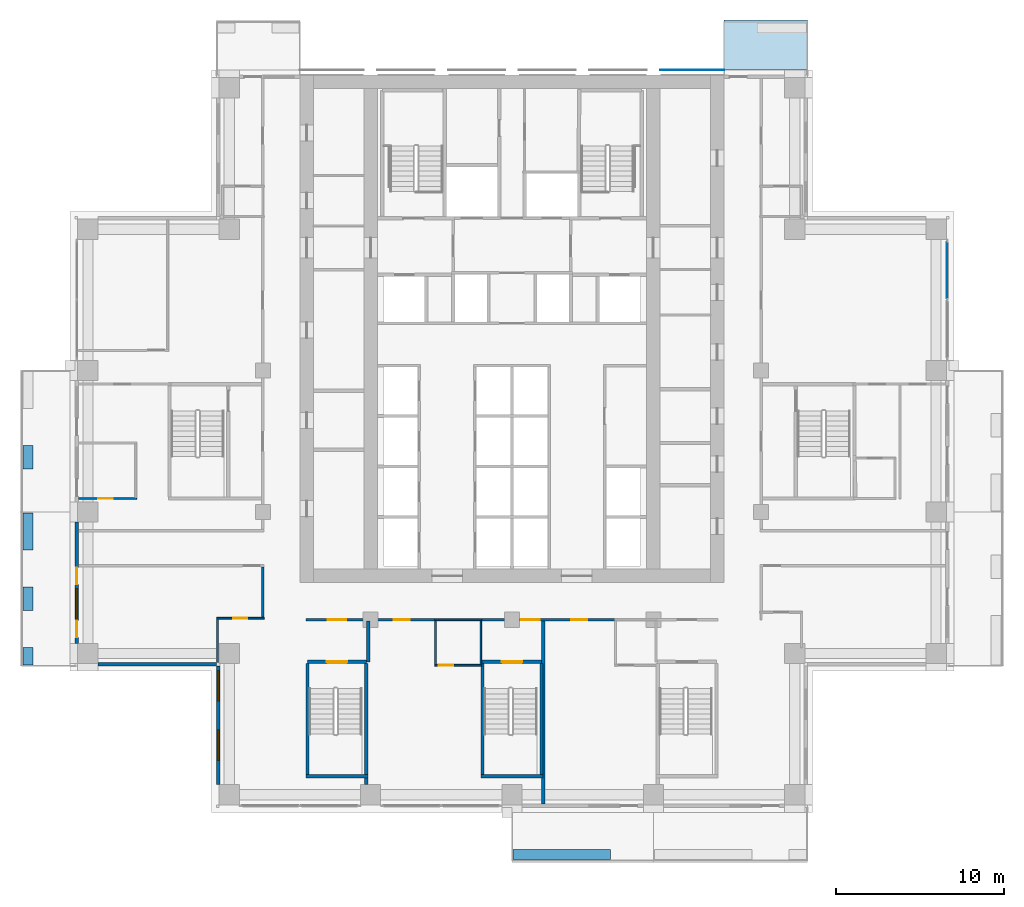
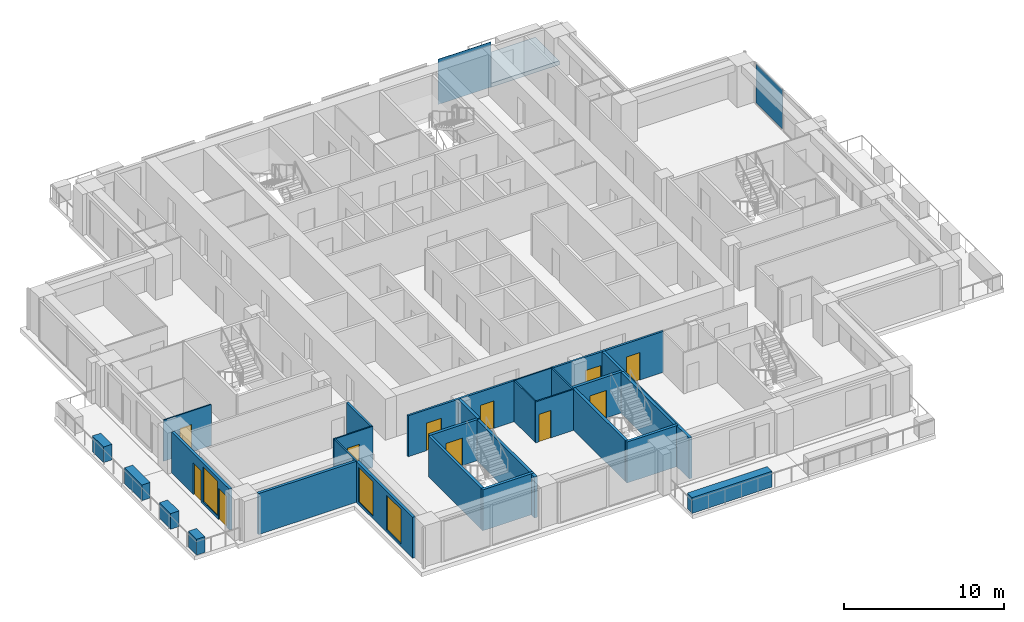
# One storey, part 8 of 18: 28 walls, 11 doors, 3 windows, 2 plates, 1 slab, 14 openings, 1 element without a shape of its own.
"""IFC4 building model written with IfcOpenShell, lengths in metres."""

from ifc_helpers import new_model, si_unit, direction, frame, frame_2d, origin, origin_2d, place, context, subcontext, project, spatial, polyline, rectangle, outline, extrude, material, layer, layer_set, type_object, element, fill, aggregate, save


model = new_model("IFC4")

# Units and contexts
model_context = context("Model", 3, precision=1e-05, world=origin(), true_north=direction((0.0, 1.0)))
body_context = subcontext(model_context, "Body", "Model", "MODEL_VIEW")
ifc_project = project(units=[si_unit("LENGTHUNIT", "METRE"), si_unit("AREAUNIT", "SQUARE_METRE"), si_unit("VOLUMEUNIT", "CUBIC_METRE"), si_unit("PLANEANGLEUNIT", "RADIAN"), si_unit("MASSUNIT", "GRAM", prefix="KILO")], contexts=[model_context])

# Site, building, storey
site_placement = place(None, origin())
site = spatial("IfcSite", under=ifc_project, at=site_placement, CompositionType="ELEMENT")
building_placement = place(site_placement, origin())
building = spatial("IfcBuilding", under=site, at=building_placement, Name="Vermilion Ogive Tower", CompositionType="ELEMENT")
storey_placement = place(building_placement, frame((0.0, 0.0, 108.0)))
storey = spatial("IfcBuildingStorey", under=building, at=storey_placement, Name="L27", CompositionType="ELEMENT", Elevation=108.0)

# Slab
ifc_material_1 = material(Name="Concrete B40", Category="concrete")
ifc_layer_1 = layer(ifc_material_1, 0.300048828125)
ifc_layer_set_1 = layer_set([ifc_layer_1], Name="Balcony slab")
slab_type = type_object("IfcSlabType", Name="Balcony slab", PredefinedType="FLOOR", material=ifc_layer_set_1)
slab_placement = place(storey_placement, frame((0.0, 0.0, -0.340087890625)))
element("IfcSlab", 1, at=slab_placement, inside=storey, type_object=slab_type, Name="Balcony slab N101", PredefinedType="FLOOR", context=body_context, shape_type="SweptSolid", body=[
    extrude(outline(polyline([(17.550048828125, 25.030029296875), (12.60009765625, 25.030029296875), (12.60009765625, 22.050048828125), (17.550048828125, 22.050048828125), (17.550048828125, 25.030029296875)])), origin(), (0.0, 0.0, 1.0), 0.300048828125),
])

# Curtain wall, plate
ifc_material_2 = material(Name="Low-iron laminated glazing in aluminium frame", Category="aluminium")
curtain_wall_type = type_object("IfcCurtainWallType", Name="Curtain wall CW7", PredefinedType="NOTDEFINED", material=ifc_material_2)
curtain_wall_placement = place(storey_placement, origin())
curtain_wall = element("IfcCurtainWall", 2, at=curtain_wall_placement, inside=storey, type_object=curtain_wall_type, Name="Glazed skin E3", PredefinedType="NOTDEFINED")
ifc_material_3 = material(Name="Low-iron laminated glazing in aluminium frame", Category="aluminium")
ifc_layer_2 = layer(ifc_material_3, 0.031982421875)
ifc_layer_set_2 = layer_set([ifc_layer_2], Name="CW7 glazing panel 32")
plate_type_1 = type_object("IfcPlateType", Name="CW7 glazing panel 32", PredefinedType="CURTAIN_PANEL", material=ifc_layer_set_2)
plate_1_placement = place(storey_placement, frame((25.85009765625, 10.155029296875, 0.06005859375), z_axis=(0.0, 0.0, 1.0), x_axis=(0.0, 1.0, 0.0)))
plate_1 = element("IfcPlate", 3, at=plate_1_placement, type_object=plate_type_1, Name="CW7-E3 panel 2.1", PredefinedType="CURTAIN_PANEL", context=body_context, shape_type="SweptSolid", body=[
    extrude(rectangle(XDim=3.330078125, YDim=0.031982421875, at=origin_2d()), origin(), (0.0, 0.0, 1.0), 3.010009765625),
])
aggregate(curtain_wall, [plate_1])

# Plate
ifc_material_4 = material(Name="Low-iron laminated glazing in aluminium frame", Category="aluminium")
ifc_layer_3 = layer(ifc_material_4, 0.031982421875)
ifc_layer_set_3 = layer_set([ifc_layer_3], Name="Glazed rainscreen sheet 32")
plate_type_2 = type_object("IfcPlateType", Name="Glazed rainscreen sheet 32", PredefinedType="SHEET", material=ifc_layer_set_3)
plate_2_placement = place(storey_placement, frame((10.7099609375, 22.06591796875, -0.31982421875), z_axis=(0.0, 0.0, 1.0), x_axis=(1.0, 0.0, 0.0)))
element("IfcPlate", 4, at=plate_2_placement, inside=storey, type_object=plate_type_2, Name="Glazed rainscreen sheet N6", PredefinedType="SHEET", context=body_context, shape_type="SweptSolid", body=[
    extrude(rectangle(XDim=3.820068359375, YDim=0.031982421875, at=origin_2d()), origin(), (0.0, 0.0, 1.0), 3.449951171875),
])

# Wall, opening, door
ifc_material_5 = material(Name="Gypsum board partition on steel studs", Category="steel")
ifc_layer_4 = layer(ifc_material_5, 0.10009765625)
ifc_layer_set_4 = layer_set([ifc_layer_4], Name="Partition 100 bath")
wall_type_1 = type_object("IfcWallType", Name="Partition 100 bath", PredefinedType="PARTITIONING", material=ifc_layer_set_4)
wall_1_placement = place(storey_placement, frame((-4.597900390625, -13.300048828125, 0.0), z_axis=(0.0, 0.0, 1.0), x_axis=(1.0, 0.0, 0.0)))
wall_1 = element("IfcWall", 5, at=wall_1_placement, inside=storey, type_object=wall_type_1, Name="L27-W-W002", PredefinedType="PARTITIONING", context=body_context, shape_type="SweptSolid", body=[
    extrude(rectangle(XDim=2.7958984375, YDim=0.10009765625, at=frame_2d((1.39794921875, 0.0))), origin(), (0.0, 0.0, 1.0), 3.1298828125),
])
opening_1_placement = place(wall_1_placement, frame((0.247802734375, 0.0, 0.0)))
opening_1 = element("IfcOpeningElement", 6, at=opening_1_placement, cuts=wall_1, Name="Opening D2G4010", PredefinedType="OPENING", context=body_context, shape_type="SweptSolid", body=[
    extrude(rectangle(XDim=0.85009765625, YDim=2.10009765625, at=frame_2d((0.425048828125, 1.050048828125))), frame((0.0, 0.06005859375, 0.0), z_axis=(0.0, -1.0, 0.0), x_axis=(1.0, 0.0, 0.0)), (0.0, 0.0, 1.0), 0.1201171875),
])
ifc_material_6 = material(Name="Timber door leaf", Category="wood")
door_type_1 = type_object("IfcDoorType", Name="Bath door 850 x 2100 FD30", OperationType="SINGLE_SWING_LEFT", PredefinedType="DOOR", material=ifc_material_6)
door_1_placement = place(opening_1_placement, origin())
door_1 = element("IfcDoor", 7, at=door_1_placement, inside=storey, type_object=door_type_1, Name="L27-D-D010", OperationType="SINGLE_SWING_LEFT", OverallHeight=2.10009765625, OverallWidth=0.85009765625, PredefinedType="DOOR", context=body_context, shape_type="SweptSolid", body=[
    extrude(rectangle(XDim=0.85009765625, YDim=2.10009765625, at=frame_2d((0.425048828125, 1.050048828125))), frame((0.0, 0.02490234375, 0.0), z_axis=(0.0, -1.0, 0.0), x_axis=(1.0, 0.0, 0.0)), (0.0, 0.0, 1.0), 0.050048828125),
])
fill(opening_1, door_1)

# Wall
wall_2_placement = place(storey_placement, frame((-4.60009765625, -10.60009765625, 0.0), z_axis=(0.0, 0.0, 1.0), x_axis=(1.0, 0.0, 0.0)))
element("IfcWall", 8, at=wall_2_placement, inside=storey, type_object=wall_type_1, Name="L27-W-W008", PredefinedType="PARTITIONING", context=body_context, shape_type="SweptSolid", body=[
    extrude(rectangle(XDim=2.800048828125, YDim=0.10009765625, at=frame_2d((1.39990234375, 0.0))), origin(), (0.0, 0.0, 1.0), 3.1298828125),
])

# Wall, opening, door
wall_3_placement = place(storey_placement, frame((-17.550048828125, -10.510009765625, 0.0), z_axis=(0.0, 0.0, 1.0), x_axis=(1.0, 0.0, 0.0)))
wall_3 = element("IfcWall", 9, at=wall_3_placement, inside=storey, type_object=wall_type_1, Name="L27-W-W012", PredefinedType="PARTITIONING", context=body_context, shape_type="SweptSolid", body=[
    extrude(rectangle(XDim=2.824951171875, YDim=0.10009765625, at=frame_2d((1.41259765625, 0.0))), origin(), (0.0, 0.0, 1.0), 3.1298828125),
])
opening_2_placement = place(wall_3_placement, frame((0.97509765625, 0.0, 0.0)))
opening_2 = element("IfcOpeningElement", 10, at=opening_2_placement, cuts=wall_3, Name="Opening D2G4002", PredefinedType="OPENING", context=body_context, shape_type="SweptSolid", body=[
    extrude(rectangle(XDim=0.85009765625, YDim=2.10009765625, at=frame_2d((0.425048828125, 1.050048828125))), frame((0.0, 0.06005859375, 0.0), z_axis=(0.0, -1.0, 0.0), x_axis=(1.0, 0.0, 0.0)), (0.0, 0.0, 1.0), 0.1201171875),
])
door_2_placement = place(opening_2_placement, origin())
door_2 = element("IfcDoor", 11, at=door_2_placement, inside=storey, type_object=door_type_1, Name="L27-D-D002", OperationType="SINGLE_SWING_RIGHT", OverallHeight=2.10009765625, OverallWidth=0.85009765625, PredefinedType="DOOR", context=body_context, shape_type="SweptSolid", body=[
    extrude(rectangle(XDim=0.85009765625, YDim=2.10009765625, at=frame_2d((0.425048828125, 1.050048828125))), frame((0.0, 0.02490234375, 0.0), z_axis=(0.0, -1.0, 0.0), x_axis=(1.0, 0.0, 0.0)), (0.0, 0.0, 1.0), 0.050048828125),
])
fill(opening_2, door_2)

wall_4_placement = place(storey_placement, frame((-25.75, -3.39990234375, 0.0), z_axis=(0.0, 0.0, 1.0), x_axis=(1.0, 0.0, 0.0)))
wall_4 = element("IfcWall", 12, at=wall_4_placement, inside=storey, type_object=wall_type_1, Name="L27-W-W018", PredefinedType="PARTITIONING", context=body_context, shape_type="SweptSolid", body=[
    extrude(rectangle(XDim=3.447998046875, YDim=0.10009765625, at=frame_2d((1.72412109375, 0.0))), origin(), (0.0, 0.0, 1.0), 3.1298828125),
])
opening_3_placement = place(wall_4_placement, frame((1.175048828125, 0.0, 0.0)))
opening_3 = element("IfcOpeningElement", 13, at=opening_3_placement, cuts=wall_4, Name="Opening D2G4006", PredefinedType="OPENING", context=body_context, shape_type="SweptSolid", body=[
    extrude(rectangle(XDim=0.85009765625, YDim=2.10009765625, at=frame_2d((0.425048828125, 1.050048828125))), frame((0.0, 0.06005859375, 0.0), z_axis=(0.0, -1.0, 0.0), x_axis=(1.0, 0.0, 0.0)), (0.0, 0.0, 1.0), 0.1201171875),
])
door_3_placement = place(opening_3_placement, origin())
door_3 = element("IfcDoor", 14, at=door_3_placement, inside=storey, type_object=door_type_1, Name="L27-D-D006", OperationType="SINGLE_SWING_LEFT", OverallHeight=2.10009765625, OverallWidth=0.85009765625, PredefinedType="DOOR", context=body_context, shape_type="SweptSolid", body=[
    extrude(rectangle(XDim=0.85009765625, YDim=2.10009765625, at=frame_2d((0.425048828125, 1.050048828125))), frame((0.0, 0.02490234375, 0.0), z_axis=(0.0, -1.0, 0.0), x_axis=(1.0, 0.0, 0.0)), (0.0, 0.0, 1.0), 0.050048828125),
])
fill(opening_3, door_3)

# Walls
wall_5_placement = place(storey_placement, frame((-17.5, -13.35009765625, 0.0), z_axis=(0.0, 0.0, 1.0), x_axis=(0.0, 1.0, 0.0)))
element("IfcWall", 15, at=wall_5_placement, inside=storey, type_object=wall_type_1, Name="L27-W-W038", PredefinedType="PARTITIONING", context=body_context, shape_type="SweptSolid", body=[
    extrude(rectangle(XDim=2.7900390625, YDim=0.10009765625, at=frame_2d((1.39501953125, 0.0))), origin(), (0.0, 0.0, 1.0), 3.1298828125),
])
for number, where, z_axis, x_axis, name in (
    (16, (-4.550048828125, -13.248046875, 0.0), (0.0, 0.0, 1.0), (0.0, 1.0, 0.0), "L27-W-W046"),
    (17, (-1.85009765625, -13.248046875, 0.0), (0.0, 0.0, 1.0), (0.0, 1.0, 0.0), "L27-W-W047"),
):
    element("IfcWall", number, at=place(storey_placement, frame(where, z_axis=z_axis, x_axis=x_axis)), inside=storey, type_object=wall_type_1, Name=name, PredefinedType="PARTITIONING", context=body_context, shape_type="SweptSolid", body=[
        extrude(rectangle(XDim=2.572998046875, YDim=0.10009765625, at=frame_2d((1.28662109375, 0.0))), origin(), (0.0, 0.0, 1.0), 3.1298828125),
    ])

# Wall, openings, doors
ifc_material_7 = material(Name="Gypsum board partition on steel studs", Category="steel")
ifc_layer_5 = layer(ifc_material_7, 0.14990234375)
ifc_layer_set_5 = layer_set([ifc_layer_5], Name="Partition 150 corridor")
wall_type_2 = type_object("IfcWallType", Name="Partition 150 corridor", PredefinedType="PARTITIONING", material=ifc_layer_set_5)
wall_6_placement = place(storey_placement, frame((-12.25, -10.60009765625, 0.0), z_axis=(0.0, 0.0, 1.0), x_axis=(1.0, 0.0, 0.0)))
wall_6 = element("IfcWall", 18, at=wall_6_placement, inside=storey, type_object=wall_type_2, Name="L27-W-W007", PredefinedType="PARTITIONING", context=body_context, shape_type="SweptSolid", body=[
    extrude(rectangle(XDim=7.75, YDim=0.14990234375, at=frame_2d((3.875, 0.0))), origin(), (0.0, 0.0, 1.0), 3.1298828125),
])
opening_4_placement = place(wall_6_placement, frame((5.22509765625, 0.0, 0.0)))
opening_4 = element("IfcOpeningElement", 19, at=opening_4_placement, cuts=wall_6, Name="Opening D2G4009", PredefinedType="OPENING", context=body_context, shape_type="SweptSolid", body=[
    extrude(rectangle(XDim=0.949951171875, YDim=2.10009765625, at=frame_2d((0.47509765625, 1.050048828125))), frame((0.0, 0.0849609375, 0.0), z_axis=(0.0, -1.0, 0.0), x_axis=(1.0, 0.0, 0.0)), (0.0, 0.0, 1.0), 0.169921875),
])
opening_5_placement = place(wall_6_placement, frame((1.300048828125, 0.0, 0.0)))
opening_5 = element("IfcOpeningElement", 20, at=opening_5_placement, cuts=wall_6, Name="Opening D2G4021", PredefinedType="OPENING", context=body_context, shape_type="SweptSolid", body=[
    extrude(rectangle(XDim=1.10009765625, YDim=2.10009765625, at=frame_2d((0.550048828125, 1.050048828125))), frame((0.0, 0.0849609375, 0.0), z_axis=(0.0, -1.0, 0.0), x_axis=(1.0, 0.0, 0.0)), (0.0, 0.0, 1.0), 0.169921875),
])
ifc_material_8 = material(Name="Timber door leaf", Category="wood")
door_type_2 = type_object("IfcDoorType", Name="Stair door 1100 x 2100 FD60S", OperationType="SINGLE_SWING_LEFT", PredefinedType="DOOR", material=ifc_material_8)
door_4_placement = place(opening_5_placement, origin())
door_4 = element("IfcDoor", 21, at=door_4_placement, inside=storey, type_object=door_type_2, Name="L27-D-D021", OperationType="SINGLE_SWING_RIGHT", OverallHeight=2.10009765625, OverallWidth=1.10009765625, PredefinedType="DOOR", context=body_context, shape_type="SweptSolid", body=[
    extrude(rectangle(XDim=1.10009765625, YDim=2.10009765625, at=frame_2d((0.550048828125, 1.050048828125))), frame((0.0, 0.02490234375, 0.0), z_axis=(0.0, -1.0, 0.0), x_axis=(1.0, 0.0, 0.0)), (0.0, 0.0, 1.0), 0.050048828125),
])
fill(opening_5, door_4)
ifc_material_9 = material(Name="Timber door leaf", Category="wood")
door_type_3 = type_object("IfcDoorType", Name="Unit door 950 x 2100 FD30S", OperationType="SINGLE_SWING_LEFT", PredefinedType="DOOR", material=ifc_material_9)
door_5_placement = place(opening_4_placement, origin())
door_5 = element("IfcDoor", 22, at=door_5_placement, inside=storey, type_object=door_type_3, Name="L27-D-D009", OperationType="SINGLE_SWING_LEFT", OverallHeight=2.10009765625, OverallWidth=0.949951171875, PredefinedType="DOOR", context=body_context, shape_type="SweptSolid", body=[
    extrude(rectangle(XDim=0.949951171875, YDim=2.10009765625, at=frame_2d((0.47509765625, 1.050048828125))), frame((0.0, 0.02490234375, 0.0), z_axis=(0.0, -1.0, 0.0), x_axis=(1.0, 0.0, 0.0)), (0.0, 0.0, 1.0), 0.050048828125),
])
fill(opening_4, door_5)

wall_7_placement = place(storey_placement, frame((-1.89990234375, -10.60009765625, 0.0), z_axis=(0.0, 0.0, 1.0), x_axis=(1.0, 0.0, 0.0)))
wall_7 = element("IfcWall", 23, at=wall_7_placement, inside=storey, type_object=wall_type_2, Name="L27-W-W009", PredefinedType="PARTITIONING", context=body_context, shape_type="SweptSolid", body=[
    extrude(rectangle(XDim=8.099853515625, YDim=0.14990234375, at=frame_2d((4.0498046875, 0.0))), origin(), (0.0, 0.0, 1.0), 3.1298828125),
])
opening_6_placement = place(wall_7_placement, frame((5.4248046875, 0.0, 0.0)))
opening_6 = element("IfcOpeningElement", 24, at=opening_6_placement, cuts=wall_7, Name="Opening D2G4011", PredefinedType="OPENING", context=body_context, shape_type="SweptSolid", body=[
    extrude(rectangle(XDim=0.949951171875, YDim=2.10009765625, at=frame_2d((0.47509765625, 1.050048828125))), frame((0.0, 0.0849609375, 0.0), z_axis=(0.0, -1.0, 0.0), x_axis=(1.0, 0.0, 0.0)), (0.0, 0.0, 1.0), 0.169921875),
])
opening_7_placement = place(wall_7_placement, frame((2.449951171875, 0.0, 0.0)))
opening_7 = element("IfcOpeningElement", 25, at=opening_7_placement, cuts=wall_7, Name="Opening D2G4023", PredefinedType="OPENING", context=body_context, shape_type="SweptSolid", body=[
    extrude(rectangle(XDim=1.10009765625, YDim=2.10009765625, at=frame_2d((0.550048828125, 1.050048828125))), frame((0.0, 0.0849609375, 0.0), z_axis=(0.0, -1.0, 0.0), x_axis=(1.0, 0.0, 0.0)), (0.0, 0.0, 1.0), 0.169921875),
])
door_6_placement = place(opening_7_placement, origin())
door_6 = element("IfcDoor", 26, at=door_6_placement, inside=storey, type_object=door_type_2, Name="L27-D-D023", OperationType="SINGLE_SWING_LEFT", OverallHeight=2.10009765625, OverallWidth=1.10009765625, PredefinedType="DOOR", context=body_context, shape_type="SweptSolid", body=[
    extrude(rectangle(XDim=1.10009765625, YDim=2.10009765625, at=frame_2d((0.550048828125, 1.050048828125))), frame((0.0, 0.02490234375, 0.0), z_axis=(0.0, -1.0, 0.0), x_axis=(1.0, 0.0, 0.0)), (0.0, 0.0, 1.0), 0.050048828125),
])
fill(opening_7, door_6)
door_7_placement = place(opening_6_placement, origin())
door_7 = element("IfcDoor", 27, at=door_7_placement, inside=storey, type_object=door_type_3, Name="L27-D-D011", OperationType="SINGLE_SWING_LEFT", OverallHeight=2.10009765625, OverallWidth=0.949951171875, PredefinedType="DOOR", context=body_context, shape_type="SweptSolid", body=[
    extrude(rectangle(XDim=0.949951171875, YDim=2.10009765625, at=frame_2d((0.47509765625, 1.050048828125))), frame((0.0, 0.02490234375, 0.0), z_axis=(0.0, -1.0, 0.0), x_axis=(1.0, 0.0, 0.0)), (0.0, 0.0, 1.0), 0.050048828125),
])
fill(opening_6, door_7)

# Walls
wall_8_placement = place(storey_placement, frame((-14.800048828125, -10.4599609375, 0.0), z_axis=(0.0, 0.0, 1.0), x_axis=(0.0, 1.0, 0.0)))
element("IfcWall", 28, at=wall_8_placement, inside=storey, type_object=wall_type_2, Name="L27-W-W041", PredefinedType="PARTITIONING", context=body_context, shape_type="SweptSolid", body=[
    extrude(rectangle(XDim=2.98486328125, YDim=0.14990234375, at=frame_2d((1.492431640625, 0.0))), origin(), (0.0, 0.0, 1.0), 3.1298828125),
])
ifc_material_10 = material(Name="Gypsum board partition on steel studs", Category="steel")
ifc_layer_6 = layer(ifc_material_10, 0.199951171875)
ifc_layer_set_6 = layer_set([ifc_layer_6], Name="Partition 200 party")
wall_type_3 = type_object("IfcWallType", Name="Partition 200 party", PredefinedType="PARTITIONING", material=ifc_layer_set_6)
wall_9_placement = place(storey_placement, frame((-8.550048828125, -13.10009765625, 0.0), z_axis=(0.0, 0.0, 1.0), x_axis=(0.0, 1.0, 0.0)))
element("IfcWall", 29, at=wall_9_placement, inside=storey, type_object=wall_type_3, Name="L27-W-W045", PredefinedType="PARTITIONING", context=body_context, shape_type="SweptSolid", body=[
    extrude(rectangle(XDim=2.425048828125, YDim=0.199951171875, at=frame_2d((1.21240234375, 0.0))), origin(), (0.0, 0.0, 1.0), 3.1298828125),
])
ifc_material_11 = material(Name="Concrete B60", Category="concrete")
ifc_layer_7 = layer(ifc_material_11, 0.199951171875)
ifc_layer_set_7 = layer_set([ifc_layer_7], Name="Stair shaft wall 200 Concrete B60")
wall_type_4 = type_object("IfcWallType", Name="Stair shaft wall 200 Concrete B60", PredefinedType="SOLIDWALL", material=ifc_layer_set_7)
wall_10_placement = place(storey_placement, frame((-1.847900390625, -19.89990234375, 0.0), z_axis=(0.0, 0.0, 1.0), x_axis=(1.0, 0.0, 0.0)))
element("IfcWall", 30, at=wall_10_placement, inside=storey, type_object=wall_type_4, Name="L27-W-W001", PredefinedType="SOLIDWALL", context=body_context, shape_type="SweptSolid", body=[
    extrude(rectangle(XDim=3.69580078125, YDim=0.199951171875, at=frame_2d((1.847900390625, 0.0))), origin(), (0.0, 0.0, 1.0), 3.1298828125),
])

# Wall, opening, door
wall_11_placement = place(storey_placement, frame((-12.14990234375, -13.10009765625, 0.0), z_axis=(0.0, 0.0, 1.0), x_axis=(1.0, 0.0, 0.0)))
wall_11 = element("IfcWall", 31, at=wall_11_placement, inside=storey, type_object=wall_type_4, Name="L27-W-W004", PredefinedType="SOLIDWALL", context=body_context, shape_type="SweptSolid", body=[
    extrude(rectangle(XDim=3.5, YDim=0.199951171875, at=frame_2d((1.75, 0.0))), origin(), (0.0, 0.0, 1.0), 3.1298828125),
])
opening_8_placement = place(wall_11_placement, frame((1.14990234375, 0.0, 0.0)))
opening_8 = element("IfcOpeningElement", 32, at=opening_8_placement, cuts=wall_11, Name="Opening D2G4022", PredefinedType="OPENING", context=body_context, shape_type="SweptSolid", body=[
    extrude(rectangle(XDim=1.199951171875, YDim=2.10009765625, at=frame_2d((0.60009765625, 1.050048828125))), frame((0.0, 0.10986328125, 0.0), z_axis=(0.0, -1.0, 0.0), x_axis=(1.0, 0.0, 0.0)), (0.0, 0.0, 1.0), 0.219970703125),
])
ifc_material_12 = material(Name="Timber door leaf", Category="wood")
door_type_4 = type_object("IfcDoorType", Name="Stair door 1200 x 2100 FD60S", OperationType="SINGLE_SWING_LEFT", PredefinedType="DOOR", material=ifc_material_12)
door_8_placement = place(opening_8_placement, origin())
door_8 = element("IfcDoor", 33, at=door_8_placement, inside=storey, type_object=door_type_4, Name="L27-D-D022", OperationType="SINGLE_SWING_RIGHT", OverallHeight=2.10009765625, OverallWidth=1.199951171875, PredefinedType="DOOR", context=body_context, shape_type="SweptSolid", body=[
    extrude(rectangle(XDim=1.199951171875, YDim=2.10009765625, at=frame_2d((0.60009765625, 1.050048828125))), frame((0.0, 0.02490234375, 0.0), z_axis=(0.0, -1.0, 0.0), x_axis=(1.0, 0.0, 0.0)), (0.0, 0.0, 1.0), 0.050048828125),
])
fill(opening_8, door_8)

wall_12_placement = place(storey_placement, frame((-1.798095703125, -13.10009765625, 0.0), z_axis=(0.0, 0.0, 1.0), x_axis=(1.0, 0.0, 0.0)))
wall_12 = element("IfcWall", 34, at=wall_12_placement, inside=storey, type_object=wall_type_4, Name="L27-W-W005", PredefinedType="SOLIDWALL", context=body_context, shape_type="SweptSolid", body=[
    extrude(rectangle(XDim=3.546142578125, YDim=0.199951171875, at=frame_2d((1.77294921875, 0.0))), origin(), (0.0, 0.0, 1.0), 3.1298828125),
])
opening_9_placement = place(wall_12_placement, frame((1.197998046875, 0.0, 0.0)))
opening_9 = element("IfcOpeningElement", 35, at=opening_9_placement, cuts=wall_12, Name="Opening D2G4024", PredefinedType="OPENING", context=body_context, shape_type="SweptSolid", body=[
    extrude(rectangle(XDim=1.199951171875, YDim=2.10009765625, at=frame_2d((0.60009765625, 1.050048828125))), frame((0.0, 0.10986328125, 0.0), z_axis=(0.0, -1.0, 0.0), x_axis=(1.0, 0.0, 0.0)), (0.0, 0.0, 1.0), 0.219970703125),
])
door_9_placement = place(opening_9_placement, origin())
door_9 = element("IfcDoor", 36, at=door_9_placement, inside=storey, type_object=door_type_4, Name="L27-D-D024", OperationType="SINGLE_SWING_RIGHT", OverallHeight=2.10009765625, OverallWidth=1.199951171875, PredefinedType="DOOR", context=body_context, shape_type="SweptSolid", body=[
    extrude(rectangle(XDim=1.199951171875, YDim=2.10009765625, at=frame_2d((0.60009765625, 1.050048828125))), frame((0.0, 0.02490234375, 0.0), z_axis=(0.0, -1.0, 0.0), x_axis=(1.0, 0.0, 0.0)), (0.0, 0.0, 1.0), 0.050048828125),
])
fill(opening_9, door_9)

# Walls
for number, where, z_axis, x_axis, name in (
    (37, (-1.75, -19.798095703125, 0.0), (0.0, 0.0, 1.0), (0.0, 1.0, 0.0), "L27-W-W048"),
    (38, (1.75, -19.798095703125, 0.0), (0.0, 0.0, 1.0), (0.0, 1.0, 0.0), "L27-W-W049"),
):
    element("IfcWall", number, at=place(storey_placement, frame(where, z_axis=z_axis, x_axis=x_axis)), inside=storey, type_object=wall_type_4, Name=name, PredefinedType="SOLIDWALL", context=body_context, shape_type="SweptSolid", body=[
        extrude(rectangle(XDim=6.59619140625, YDim=0.199951171875, at=frame_2d((3.298095703125, 0.0))), origin(), (0.0, 0.0, 1.0), 3.1298828125),
    ])
wall_13_placement = place(storey_placement, frame((-12.25, -19.89990234375, 0.0), z_axis=(0.0, 0.0, 1.0), x_axis=(1.0, 0.0, 0.0)))
element("IfcWall", 39, at=wall_13_placement, inside=storey, type_object=wall_type_4, Name="L27-SW-ST3-S1", PredefinedType="SOLIDWALL", context=body_context, shape_type="SweptSolid", body=[
    extrude(rectangle(XDim=3.699951171875, YDim=0.199951171875, at=frame_2d((1.85009765625, 0.0))), origin(), (0.0, 0.0, 1.0), 3.1298828125),
])
wall_14_placement = place(storey_placement, frame((-12.14990234375, -19.800048828125, 0.0), z_axis=(0.0, 0.0, 1.0), x_axis=(0.0, 1.0, 0.0)))
element("IfcWall", 40, at=wall_14_placement, inside=storey, type_object=wall_type_4, Name="L27-SW-ST3-W1", PredefinedType="SOLIDWALL", context=body_context, shape_type="SweptSolid", body=[
    extrude(rectangle(XDim=6.60009765625, YDim=0.199951171875, at=frame_2d((3.300048828125, 0.0))), origin(), (0.0, 0.0, 1.0), 3.1298828125),
])
wall_15_placement = place(storey_placement, frame((-8.64990234375, -20.39990234375, 0.0), z_axis=(0.0, 0.0, 1.0), x_axis=(0.0, 1.0, 0.0)))
element("IfcWall", 41, at=wall_15_placement, inside=storey, type_object=wall_type_4, Name="L27-SW-ST3-E1", PredefinedType="SOLIDWALL", context=body_context, shape_type="SweptSolid", body=[
    extrude(rectangle(XDim=7.199951171875, YDim=0.199951171875, at=frame_2d((3.60009765625, 0.0))), origin(), (0.0, 0.0, 1.0), 3.1298828125),
])
wall_16_placement = place(storey_placement, frame((1.85009765625, -21.550048828125, 0.0), z_axis=(0.0, 0.0, 1.0), x_axis=(0.0, 1.0, 0.0)))
element("IfcWall", 42, at=wall_16_placement, inside=storey, type_object=wall_type_4, Name="L27-W-W050-A", PredefinedType="SOLIDWALL", context=body_context, shape_type="SweptSolid", body=[
    extrude(rectangle(XDim=10.875, YDim=0.199951171875, at=frame_2d((5.4375, 0.0))), origin(), (0.0, 0.0, 1.0), 3.1298828125),
])
ifc_material_13 = material(Name="Concrete B40", Category="concrete")
ifc_layer_8 = layer(ifc_material_13, 0.60009765625)
ifc_layer_set_8 = layer_set([ifc_layer_8], Name="Structural planter")
wall_type_5 = type_object("IfcWallType", Name="Structural planter", PredefinedType="USERDEFINED", material=ifc_layer_set_8)
wall_17_placement = place(storey_placement, frame((0.06005859375, -24.550048828125, -0.0400390625), z_axis=(0.0, 0.0, 1.0), x_axis=(1.0, 0.0, 0.0)))
element("IfcWall", 43, at=wall_17_placement, inside=storey, type_object=wall_type_5, Name="Planter S03A1", ObjectType="PLANTER", PredefinedType="USERDEFINED", context=body_context, shape_type="SweptSolid", body=[
    extrude(rectangle(XDim=5.7900390625, YDim=0.60009765625, at=frame_2d((2.89501953125, 0.0))), origin(), (0.0, 0.0, 1.0), 1.199951171875),
])
wall_18_placement = place(storey_placement, frame((-28.75, -0.25, -0.0400390625), z_axis=(0.0, 0.0, 1.0), x_axis=(0.0, -1.0, 0.0)))
element("IfcWall", 44, at=wall_18_placement, inside=storey, type_object=wall_type_5, Name="Planter W02A2", ObjectType="PLANTER", PredefinedType="USERDEFINED", context=body_context, shape_type="SweptSolid", body=[
    extrude(rectangle(XDim=1.39990234375, YDim=0.60009765625, at=frame_2d((0.699951171875, 0.0))), origin(), (0.0, 0.0, 1.0), 1.199951171875),
])
wall_19_placement = place(storey_placement, frame((-28.75, -4.260009765625, -0.0400390625), z_axis=(0.0, 0.0, 1.0), x_axis=(0.0, -1.0, 0.0)))
element("IfcWall", 45, at=wall_19_placement, inside=storey, type_object=wall_type_5, Name="Planter W03A1", ObjectType="PLANTER", PredefinedType="USERDEFINED", context=body_context, shape_type="SweptSolid", body=[
    extrude(rectangle(XDim=2.18994140625, YDim=0.60009765625, at=frame_2d((1.094970703125, 0.0))), origin(), (0.0, 0.0, 1.0), 1.199951171875),
])
wall_20_placement = place(storey_placement, frame((-28.75, -8.64990234375, -0.0400390625), z_axis=(0.0, 0.0, 1.0), x_axis=(0.0, -1.0, 0.0)))
element("IfcWall", 46, at=wall_20_placement, inside=storey, type_object=wall_type_5, Name="Planter W03A2", ObjectType="PLANTER", PredefinedType="USERDEFINED", context=body_context, shape_type="SweptSolid", body=[
    extrude(rectangle(XDim=1.400146484375, YDim=0.60009765625, at=frame_2d((0.7001953125, 0.0))), origin(), (0.0, 0.0, 1.0), 1.199951171875),
])
wall_21_placement = place(storey_placement, frame((-28.75, -12.25, -0.0400390625), z_axis=(0.0, 0.0, 1.0), x_axis=(0.0, -1.0, 0.0)))
element("IfcWall", 47, at=wall_21_placement, inside=storey, type_object=wall_type_5, Name="Planter W03A3", ObjectType="PLANTER", PredefinedType="USERDEFINED", context=body_context, shape_type="SweptSolid", body=[
    extrude(rectangle(XDim=1.0400390625, YDim=0.60009765625, at=frame_2d((0.52001953125, 0.0))), origin(), (0.0, 0.0, 1.0), 1.199951171875),
])

# Wall, openings, doors, window
ifc_material_14 = material(Name="Aluminium window wall framing", Category="aluminium")
ifc_layer_9 = layer(ifc_material_14, 0.199951171875)
ifc_layer_set_9 = layer_set([ifc_layer_9], Name="Window wall")
wall_type_6 = type_object("IfcWallType", Name="Window wall", PredefinedType="STANDARD", material=ifc_layer_set_9)
wall_22_placement = place(storey_placement, frame((-25.85009765625, -4.800048828125, 0.0), z_axis=(0.0, 0.0, 1.0), x_axis=(0.0, -1.0, 0.0)))
wall_22 = element("IfcWall", 48, at=wall_22_placement, inside=storey, type_object=wall_type_6, Name="Window wall W3", PredefinedType="STANDARD", context=body_context, shape_type="SweptSolid", body=[
    extrude(rectangle(XDim=7.199951171875, YDim=0.199951171875, at=frame_2d((3.60009765625, 0.0))), origin(), (0.0, 0.0, 1.0), 3.1298828125),
])
opening_10_placement = place(wall_22_placement, frame((3.949951171875, 0.0, 0.199951171875)))
opening_10 = element("IfcOpeningElement", 49, at=opening_10_placement, cuts=wall_22, Name="Opening W1-W97", PredefinedType="OPENING", context=body_context, shape_type="SweptSolid", body=[
    extrude(rectangle(XDim=1.800048828125, YDim=2.64990234375, at=frame_2d((0.89990234375, 1.324951171875))), frame((0.0, 0.10986328125, 0.0), z_axis=(0.0, -1.0, 0.0), x_axis=(1.0, 0.0, 0.0)), (0.0, 0.0, 1.0), 0.219970703125),
])
opening_11_placement = place(wall_22_placement, frame((5.85009765625, 0.0, 0.0)))
opening_11 = element("IfcOpeningElement", 50, at=opening_11_placement, cuts=wall_22, Name="Opening D1-W97", PredefinedType="OPENING", context=body_context, shape_type="SweptSolid", body=[
    extrude(rectangle(XDim=1.0, YDim=2.39990234375, at=frame_2d((0.5, 1.199951171875))), frame((0.0, 0.10986328125, 0.0), z_axis=(0.0, -1.0, 0.0), x_axis=(1.0, 0.0, 0.0)), (0.0, 0.0, 1.0), 0.219970703125),
])
opening_12_placement = place(wall_22_placement, frame((2.699951171875, 0.0, 0.0)))
opening_12 = element("IfcOpeningElement", 51, at=opening_12_placement, cuts=wall_22, Name="Opening D1-W98", PredefinedType="OPENING", context=body_context, shape_type="SweptSolid", body=[
    extrude(rectangle(XDim=1.0, YDim=2.39990234375, at=frame_2d((0.5, 1.199951171875))), frame((0.0, 0.10986328125, 0.0), z_axis=(0.0, -1.0, 0.0), x_axis=(1.0, 0.0, 0.0)), (0.0, 0.0, 1.0), 0.219970703125),
])
ifc_material_15 = material(Name="Aluminium framed glazed door", Category="aluminium")
door_type_5 = type_object("IfcDoorType", Name="Balcony door D1", OperationType="SINGLE_SWING_LEFT", PredefinedType="DOOR", material=ifc_material_15)
door_10_placement = place(opening_11_placement, origin())
door_10 = element("IfcDoor", 52, at=door_10_placement, inside=storey, type_object=door_type_5, Name="Balcony door W97", OperationType="SINGLE_SWING_LEFT", OverallHeight=2.39990234375, OverallWidth=1.0, PredefinedType="DOOR", context=body_context, shape_type="SweptSolid", body=[
    extrude(rectangle(XDim=1.0, YDim=2.39990234375, at=frame_2d((0.5, 1.199951171875))), frame((0.0, 0.02490234375, 0.0), z_axis=(0.0, -1.0, 0.0), x_axis=(1.0, 0.0, 0.0)), (0.0, 0.0, 1.0), 0.050048828125),
])
fill(opening_11, door_10)
door_11_placement = place(opening_12_placement, origin())
door_11 = element("IfcDoor", 53, at=door_11_placement, inside=storey, type_object=door_type_5, Name="Balcony door W98", OperationType="SINGLE_SWING_LEFT", OverallHeight=2.39990234375, OverallWidth=1.0, PredefinedType="DOOR", context=body_context, shape_type="SweptSolid", body=[
    extrude(rectangle(XDim=1.0, YDim=2.39990234375, at=frame_2d((0.5, 1.199951171875))), frame((0.0, 0.02490234375, 0.0), z_axis=(0.0, -1.0, 0.0), x_axis=(1.0, 0.0, 0.0)), (0.0, 0.0, 1.0), 0.050048828125),
])
fill(opening_12, door_11)
ifc_material_16 = material(Name="Aluminium framed double glazing", Category="aluminium")
window_type = type_object("IfcWindowType", Name="Guest window W1", PartitioningType="SINGLE_PANEL", PredefinedType="WINDOW", material=ifc_material_16)
window_1_placement = place(opening_10_placement, origin())
window_1 = element("IfcWindow", 54, at=window_1_placement, inside=storey, type_object=window_type, Name="Window W97", OverallHeight=2.64990234375, OverallWidth=1.800048828125, PartitioningType="SINGLE_PANEL", PredefinedType="WINDOW", context=body_context, shape_type="SweptSolid", body=[
    extrude(rectangle(XDim=1.800048828125, YDim=2.64990234375, at=frame_2d((0.89990234375, 1.324951171875))), frame((0.0, 0.030029296875, 0.0), z_axis=(0.0, -1.0, 0.0), x_axis=(1.0, 0.0, 0.0)), (0.0, 0.0, 1.0), 0.06005859375),
])
fill(opening_10, window_1)

# Wall
wall_23_placement = place(storey_placement, frame((-24.60009765625, -13.25, 0.0), z_axis=(0.0, 0.0, 1.0), x_axis=(1.0, 0.0, 0.0)))
element("IfcWall", 55, at=wall_23_placement, inside=storey, type_object=wall_type_6, Name="Window wall X71", PredefinedType="STANDARD", context=body_context, shape_type="SweptSolid", body=[
    extrude(rectangle(XDim=7.050048828125, YDim=0.199951171875, at=frame_2d((3.52490234375, 0.0))), origin(), (0.0, 0.0, 1.0), 3.1298828125),
])

# Wall, openings, windows
wall_24_placement = place(storey_placement, frame((-17.449951171875, -13.35009765625, 0.0), z_axis=(0.0, 0.0, 1.0), x_axis=(0.0, -1.0, 0.0)))
wall_24 = element("IfcWall", 56, at=wall_24_placement, inside=storey, type_object=wall_type_6, Name="Window wall X81", PredefinedType="STANDARD", context=body_context, shape_type="SweptSolid", body=[
    extrude(rectangle(XDim=7.0498046875, YDim=0.199951171875, at=frame_2d((3.52490234375, 0.0))), origin(), (0.0, 0.0, 1.0), 3.1298828125),
])
opening_13_placement = place(wall_24_placement, frame((3.800048828125, 0.0, 0.199951171875)))
opening_13 = element("IfcOpeningElement", 57, at=opening_13_placement, cuts=wall_24, Name="Opening W1-X895", PredefinedType="OPENING", context=body_context, shape_type="SweptSolid", body=[
    extrude(rectangle(XDim=1.800048828125, YDim=2.64990234375, at=frame_2d((0.89990234375, 1.324951171875))), frame((0.0, 0.10986328125, 0.0), z_axis=(0.0, -1.0, 0.0), x_axis=(1.0, 0.0, 0.0)), (0.0, 0.0, 1.0), 0.219970703125),
])
opening_14_placement = place(wall_24_placement, frame((0.27490234375, 0.0, 0.199951171875)))
opening_14 = element("IfcOpeningElement", 58, at=opening_14_placement, cuts=wall_24, Name="Opening W1-X896", PredefinedType="OPENING", context=body_context, shape_type="SweptSolid", body=[
    extrude(rectangle(XDim=1.800048828125, YDim=2.64990234375, at=frame_2d((0.89990234375, 1.324951171875))), frame((0.0, 0.10986328125, 0.0), z_axis=(0.0, -1.0, 0.0), x_axis=(1.0, 0.0, 0.0)), (0.0, 0.0, 1.0), 0.219970703125),
])
window_2_placement = place(opening_13_placement, origin())
window_2 = element("IfcWindow", 59, at=window_2_placement, inside=storey, type_object=window_type, Name="Window X895", OverallHeight=2.64990234375, OverallWidth=1.800048828125, PartitioningType="SINGLE_PANEL", PredefinedType="WINDOW", context=body_context, shape_type="SweptSolid", body=[
    extrude(rectangle(XDim=1.800048828125, YDim=2.64990234375, at=frame_2d((0.89990234375, 1.324951171875))), frame((0.0, 0.030029296875, 0.0), z_axis=(0.0, -1.0, 0.0), x_axis=(1.0, 0.0, 0.0)), (0.0, 0.0, 1.0), 0.06005859375),
])
fill(opening_13, window_2)
window_3_placement = place(opening_14_placement, origin())
window_3 = element("IfcWindow", 60, at=window_3_placement, inside=storey, type_object=window_type, Name="Window X896", OverallHeight=2.64990234375, OverallWidth=1.800048828125, PartitioningType="SINGLE_PANEL", PredefinedType="WINDOW", context=body_context, shape_type="SweptSolid", body=[
    extrude(rectangle(XDim=1.800048828125, YDim=2.64990234375, at=frame_2d((0.89990234375, 1.324951171875))), frame((0.0, 0.030029296875, 0.0), z_axis=(0.0, -1.0, 0.0), x_axis=(1.0, 0.0, 0.0)), (0.0, 0.0, 1.0), 0.06005859375),
])
fill(opening_14, window_3)

save(model, "model.ifc")
